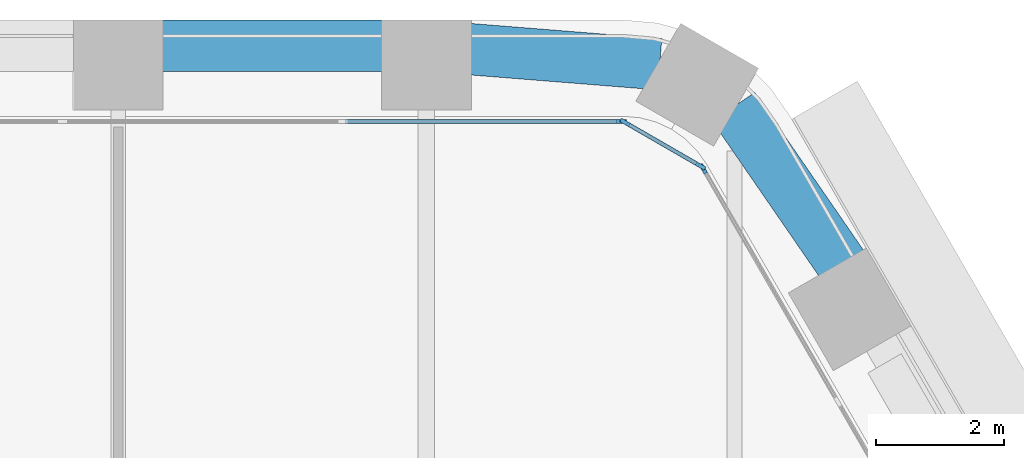
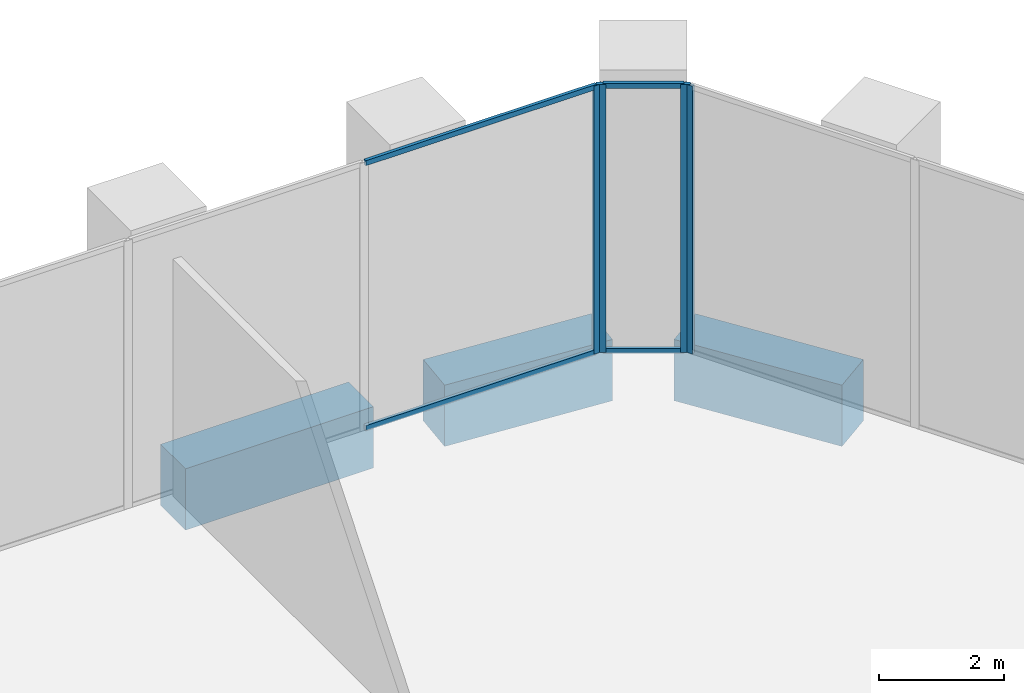
# One storey, part 14 of 27: 8 members, 3 beams, 3 elements without a shape of their own.
"""IFC4 building model written with IfcOpenShell, lengths in metres."""

from ifc_helpers import new_model, si_unit, direction, frame, origin, origin_2d, place, context, subcontext, project, spatial, rectangle, extrude, material, material_profile, profile_set, type_object, element, aggregate, save


model = new_model("IFC4")

# Units and contexts
model_context = context("Model", 3, precision=1e-05, world=origin(), true_north=direction((0.0, 1.0)))
body_context = subcontext(model_context, "Body", "Model", "MODEL_VIEW")
ifc_project = project(units=[si_unit("LENGTHUNIT", "METRE"), si_unit("AREAUNIT", "SQUARE_METRE"), si_unit("VOLUMEUNIT", "CUBIC_METRE"), si_unit("PLANEANGLEUNIT", "RADIAN"), si_unit("MASSUNIT", "GRAM", prefix="KILO")], contexts=[model_context])

# Site, building, storey
site_placement = place(None, origin())
site = spatial("IfcSite", under=ifc_project, at=site_placement, CompositionType="ELEMENT")
building_placement = place(site_placement, origin())
building = spatial("IfcBuilding", under=site, at=building_placement, Name="Kolab Exchange Tower", CompositionType="ELEMENT")
storey_placement = place(building_placement, frame((0.0, 0.0, 49.89990234375)))
storey = spatial("IfcBuildingStorey", under=building, at=storey_placement, Name="L09", CompositionType="ELEMENT", Elevation=49.89990234375)

# Beams
ifc_material_1 = material(Name="Concrete C80/95", Category="concrete")
ifc_material_profile_1 = material_profile(ifc_material_1, rectangle(XDim=0.800048828125, YDim=1.199951171875, at=origin_2d()), Name="RC800X1200")
ifc_profile_set_1 = profile_set([ifc_material_profile_1], Name="Concrete C80/95")
beam_type = type_object("IfcBeamType", Name="SPANDREL BEAM 800X1200 C80/95", PredefinedType="BEAM", material=ifc_profile_set_1)
beam_1_placement = place(storey_placement, frame((10.260009765625, 32.85546875, -0.849853515625), z_axis=(1.0, 0.0, 0.0), x_axis=(0.0, 1.0, 0.0)))
element("IfcBeam", 1, at=beam_1_placement, inside=storey, type_object=beam_type, Name="beam/L09/sp/F1-07", PredefinedType="BEAM", context=body_context, shape_type="SweptSolid", body=[
    extrude(rectangle(XDim=0.800048828125, YDim=1.199951171875, at=origin_2d()), origin(), (0.0, 0.0, 1.0), 3.47998046875),
])
beam_2_placement = place(storey_placement, frame((15.06005859375, 32.802734375, -0.849853515625), z_axis=(0.996833978278, -0.07951112973, 0.0), x_axis=(0.07951112973, 0.996833978278, 0.0)))
element("IfcBeam", 2, at=beam_2_placement, inside=storey, type_object=beam_type, Name="beam/L09/sp/F1-08", PredefinedType="BEAM", context=body_context, shape_type="SweptSolid", body=[
    extrude(rectangle(XDim=0.800048828125, YDim=1.199951171875, at=origin_2d()), origin(), (0.0, 0.0, 1.0), 2.984619140625),
])
beam_3_placement = place(storey_placement, frame((19.18505859375, 31.901611328125, -0.849853515625), z_axis=(0.567247290755, -0.823547516013, 0.0), x_axis=(0.823547516013, 0.567247290755, 0.0)))
element("IfcBeam", 3, at=beam_3_placement, inside=storey, type_object=beam_type, Name="beam/L09/sp/F2-01", PredefinedType="BEAM", context=body_context, shape_type="SweptSolid", body=[
    extrude(rectangle(XDim=0.800048828125, YDim=1.199951171875, at=origin_2d()), origin(), (0.0, 0.0, 1.0), 2.984375),
])

# Curtain wall, member
ifc_material_2 = material(Name="Aluminium EN AW-6063 T6", Category="aluminium")
curtain_wall_type = type_object("IfcCurtainWallType", Name="UNITISED LOW ZONE CURTAIN WALL", PredefinedType="NOTDEFINED", material=ifc_material_2)
curtain_wall_1_placement = place(storey_placement, origin())
curtain_wall_1 = element("IfcCurtainWall", 4, at=curtain_wall_1_placement, inside=storey, type_object=curtain_wall_type, Name="cw/L09/F1-2", PredefinedType="NOTDEFINED")
ifc_material_profile_2 = material_profile(ifc_material_2, rectangle(XDim=0.06005859375, YDim=0.159912109375, at=origin_2d()), Name="RECT 60X160")
ifc_profile_set_2 = profile_set([ifc_material_profile_2], Name="Aluminium EN AW-6063 T6")
member_type_1 = type_object("IfcMemberType", Name="UNITISED LOW ZONE MULLION 60 X 160", PredefinedType="MULLION", material=ifc_profile_set_2)
member_1_placement = place(storey_placement, frame((17.43798828125, 31.67529296875, 0.0), z_axis=(0.0, 0.0, 1.0), x_axis=(0.0, 1.0, 0.0)))
member_1 = element("IfcMember", 5, at=member_1_placement, type_object=member_type_1, Name="CW1 mullion 5", PredefinedType="MULLION", context=body_context, shape_type="SweptSolid", body=[
    extrude(rectangle(XDim=0.06005859375, YDim=0.159912109375, at=origin_2d()), origin(), (0.0, 0.0, 1.0), 5.25),
])

curtain_wall_2_placement = place(storey_placement, origin())
curtain_wall_2 = element("IfcCurtainWall", 6, at=curtain_wall_2_placement, inside=storey, type_object=curtain_wall_type, Name="cw/L09/F2-1", PredefinedType="NOTDEFINED")
member_2_placement = place(storey_placement, frame((18.712646484375, 30.939453125, 0.0), z_axis=(0.0, 0.0, 1.0), x_axis=(0.866025393644, 0.500000017564, 0.0)))
member_2 = element("IfcMember", 7, at=member_2_placement, type_object=member_type_1, Name="CW1 mullion 1", PredefinedType="MULLION", context=body_context, shape_type="SweptSolid", body=[
    extrude(rectangle(XDim=0.06005859375, YDim=0.159912109375, at=origin_2d()), origin(), (0.0, 0.0, 1.0), 5.25),
])
aggregate(curtain_wall_2, [member_2])

# Curtain wall, members
curtain_wall_3_placement = place(storey_placement, origin())
curtain_wall_3 = element("IfcCurtainWall", 8, at=curtain_wall_3_placement, inside=storey, type_object=curtain_wall_type, Name="cw/L09/F1F2-corner", PredefinedType="NOTDEFINED")
member_3_placement = place(storey_placement, frame((17.493896484375, 31.660400390625, 0.0), z_axis=(0.0, 0.0, 1.0), x_axis=(0.50000002237, 0.866025390869, 0.0)))
member_3 = element("IfcMember", 9, at=member_3_placement, type_object=member_type_1, Name="CW1 mullion 1", PredefinedType="MULLION", context=body_context, shape_type="SweptSolid", body=[
    extrude(rectangle(XDim=0.06005859375, YDim=0.159912109375, at=origin_2d()), origin(), (0.0, 0.0, 1.0), 5.25),
])
member_4_placement = place(storey_placement, frame((18.671630859375, 30.98046875, 0.0), z_axis=(0.0, 0.0, 1.0), x_axis=(0.50000002237, 0.866025390869, 0.0)))
member_4 = element("IfcMember", 10, at=member_4_placement, type_object=member_type_1, Name="CW1 mullion 2", PredefinedType="MULLION", context=body_context, shape_type="SweptSolid", body=[
    extrude(rectangle(XDim=0.06005859375, YDim=0.159912109375, at=origin_2d()), origin(), (0.0, 0.0, 1.0), 5.25),
])

# Member
ifc_material_profile_3 = material_profile(ifc_material_2, rectangle(XDim=0.06005859375, YDim=0.10009765625, at=origin_2d()), Name="RECT 60X100")
ifc_profile_set_3 = profile_set([ifc_material_profile_3], Name="Aluminium EN AW-6063 T6")
member_type_2 = type_object("IfcMemberType", Name="UNITISED LOW ZONE TRANSOM 60 X 100", PredefinedType="USERDEFINED", material=ifc_profile_set_3)
member_5_placement = place(storey_placement, frame((13.130859375, 31.67529296875, 0.030029296875), z_axis=(1.0, 0.0, 0.0), x_axis=(0.0, 1.0, 0.0)))
member_5 = element("IfcMember", 11, at=member_5_placement, type_object=member_type_2, Name="CW1 transom 4.1", ObjectType="TRANSOM", PredefinedType="USERDEFINED", context=body_context, shape_type="SweptSolid", body=[
    extrude(rectangle(XDim=0.06005859375, YDim=0.10009765625, at=origin_2d()), origin(), (0.0, 0.0, 1.0), 4.277099609375),
])

member_6_placement = place(storey_placement, frame((13.130859375, 31.67529296875, 5.22021484375), z_axis=(1.0, 0.0, 0.0), x_axis=(0.0, 1.0, 0.0)))
member_6 = element("IfcMember", 12, at=member_6_placement, type_object=member_type_2, Name="CW1 transom 4.2", ObjectType="TRANSOM", PredefinedType="USERDEFINED", context=body_context, shape_type="SweptSolid", body=[
    extrude(rectangle(XDim=0.06005859375, YDim=0.10009765625, at=origin_2d()), origin(), (0.0, 0.0, 1.0), 4.277099609375),
])

aggregate(curtain_wall_1, [member_1, member_5, member_6])

member_7_placement = place(storey_placement, frame((17.52001953125, 31.645263671875, 0.030029296875), z_axis=(0.86603858612, -0.49997716683, 0.0), x_axis=(0.49997716683, 0.86603858612, 0.0)))
member_7 = element("IfcMember", 13, at=member_7_placement, type_object=member_type_2, Name="CW1 transom 1.1", ObjectType="TRANSOM", PredefinedType="USERDEFINED", context=body_context, shape_type="SweptSolid", body=[
    extrude(rectangle(XDim=0.06005859375, YDim=0.10009765625, at=origin_2d()), origin(), (0.0, 0.0, 1.0), 1.2998046875),
])

member_8_placement = place(storey_placement, frame((17.52001953125, 31.645263671875, 5.22021484375), z_axis=(0.86603858612, -0.49997716683, 0.0), x_axis=(0.49997716683, 0.86603858612, 0.0)))
member_8 = element("IfcMember", 14, at=member_8_placement, type_object=member_type_2, Name="CW1 transom 1.2", ObjectType="TRANSOM", PredefinedType="USERDEFINED", context=body_context, shape_type="SweptSolid", body=[
    extrude(rectangle(XDim=0.06005859375, YDim=0.10009765625, at=origin_2d()), origin(), (0.0, 0.0, 1.0), 1.2998046875),
])

aggregate(curtain_wall_3, [member_3, member_4, member_7, member_8])

save(model, "model.ifc")
